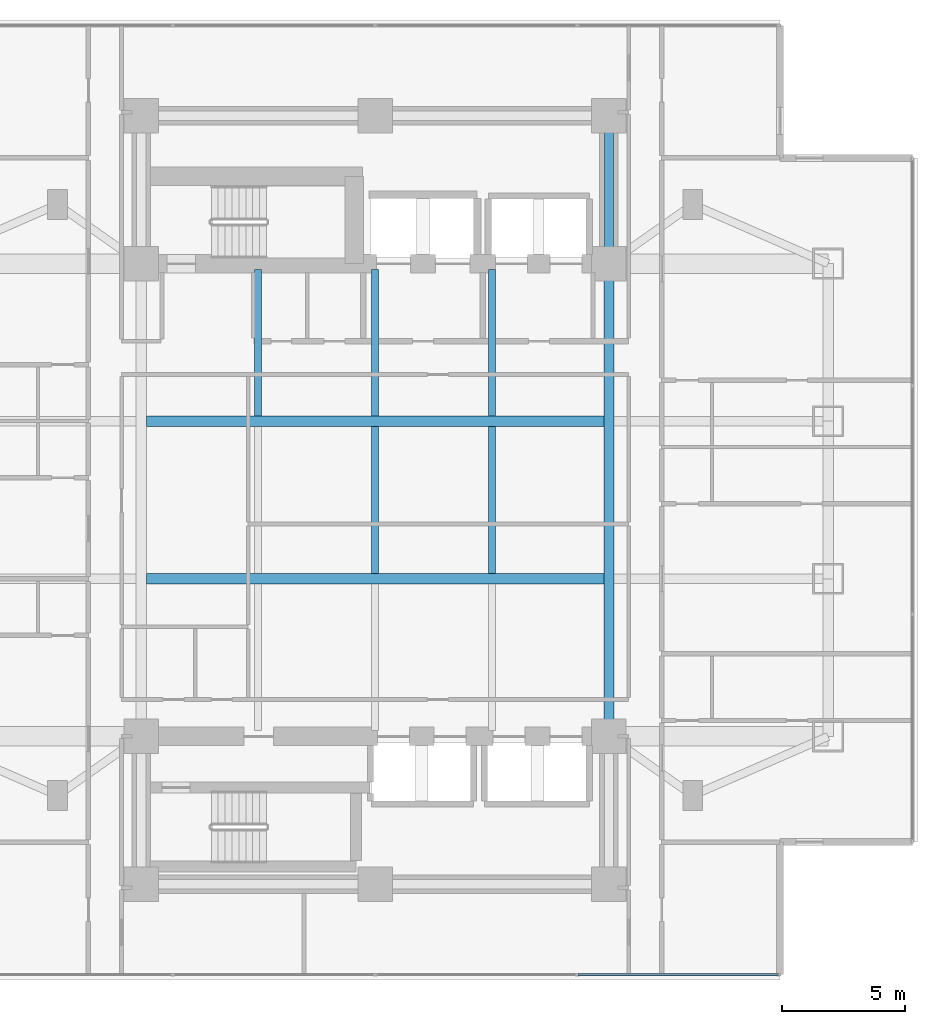
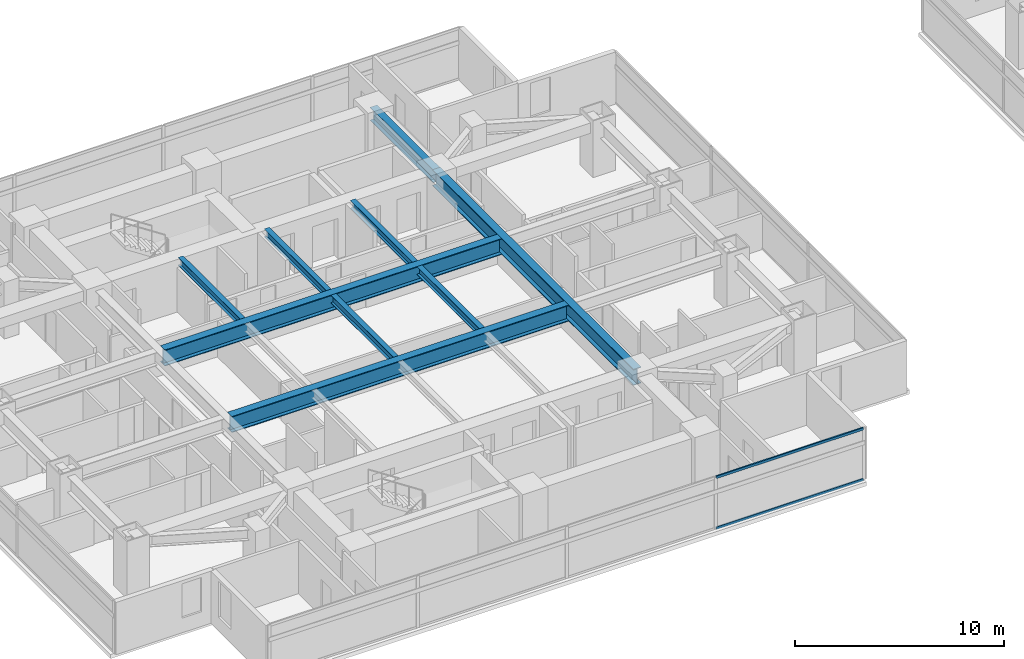
# One storey, part 4 of 25: 9 beams, 2 members, 1 element without a shape of its own.
"""IFC4 building model written with IfcOpenShell, lengths in metres."""

from ifc_helpers import new_model, si_unit, direction, frame, origin, origin_2d, place, context, subcontext, project, spatial, rectangle, i_section, extrude, material, material_profile, profile_set, type_object, element, aggregate, save


model = new_model("IFC4")

# Units and contexts
model_context = context("Model", 3, precision=1e-05, world=origin(), true_north=direction((0.0, 1.0)))
body_context = subcontext(model_context, "Body", "Model", "MODEL_VIEW")
ifc_project = project(units=[si_unit("LENGTHUNIT", "METRE"), si_unit("AREAUNIT", "SQUARE_METRE"), si_unit("VOLUMEUNIT", "CUBIC_METRE"), si_unit("PLANEANGLEUNIT", "RADIAN"), si_unit("MASSUNIT", "GRAM", prefix="KILO")], contexts=[model_context])

# Site, building, storey
site_placement = place(None, origin())
site = spatial("IfcSite", under=ifc_project, at=site_placement, CompositionType="ELEMENT")
building_placement = place(site_placement, origin())
building = spatial("IfcBuilding", under=site, at=building_placement, Name="Mirazonda Arch Towers", CompositionType="ELEMENT")
storey_placement = place(building_placement, frame((0.0, 0.0, 32.300048828125)))
storey = spatial("IfcBuildingStorey", under=building, at=storey_placement, Name="L08", CompositionType="ELEMENT", Elevation=32.300048828125)

# Beams
ifc_material_1 = material(Name="Steel ASTM A992 Grade 50", Category="steel")
ifc_material_profile_1 = material_profile(ifc_material_1, i_section(OverallWidth=0.280029296875, OverallDepth=0.462890625, WebThickness=0.0107421875, FlangeThickness=0.017333984375, at=origin_2d()), Name="W18X76")
ifc_profile_set_1 = profile_set([ifc_material_profile_1], Name="Steel ASTM A992 Grade 50")
beam_type_1 = type_object("IfcBeamType", Name="BM-INT-W18X76", PredefinedType="JOIST", material=ifc_profile_set_1)
for number, where, z_axis, x_axis, name in (
    (1, (15.75, 31.407470703125, 2.828369140625), (0.0, 1.0, 0.0), (-1.0, 0.0, 0.0), "L08 Floor Beam BM-T1-L08-J-157-31"),
    (2, (20.5, 31.407470703125, 2.828369140625), (0.0, 1.0, 0.0), (-1.0, 0.0, 0.0), "L08 Floor Beam BM-T1-L08-J-205-31"),
):
    element("IfcBeam", number, at=place(storey_placement, frame(where, z_axis=z_axis, x_axis=x_axis)), inside=storey, type_object=beam_type_1, Name=name, PredefinedType="JOIST", context=body_context, shape_type="SweptSolid", body=[
        extrude(i_section(OverallWidth=0.280029296875, OverallDepth=0.462890625, WebThickness=0.0107421875, FlangeThickness=0.017333984375, at=origin_2d()), origin(), (0.0, 0.0, 1.0), 5.95263671875),
    ])
beam_1_placement = place(storey_placement, frame((20.5, 25.007568359375, 2.828369140625), z_axis=(0.0, 1.0, 0.0), x_axis=(-1.0, 0.0, 0.0)))
element("IfcBeam", 3, at=beam_1_placement, inside=storey, type_object=beam_type_1, Name="L08 Floor Beam BM-T1-L08-J-205-24", PredefinedType="JOIST", context=body_context, shape_type="SweptSolid", body=[
    extrude(i_section(OverallWidth=0.280029296875, OverallDepth=0.462890625, WebThickness=0.0107421875, FlangeThickness=0.017333984375, at=origin_2d()), origin(), (0.0, 0.0, 1.0), 5.98486328125),
])
beam_2_placement = place(storey_placement, frame((25.25, 31.407470703125, 2.828369140625), z_axis=(0.0, 1.0, 0.0), x_axis=(-1.0, 0.0, 0.0)))
element("IfcBeam", 4, at=beam_2_placement, inside=storey, type_object=beam_type_1, Name="L08 Floor Beam BM-T1-L08-J-252-31", PredefinedType="JOIST", context=body_context, shape_type="SweptSolid", body=[
    extrude(i_section(OverallWidth=0.280029296875, OverallDepth=0.462890625, WebThickness=0.0107421875, FlangeThickness=0.017333984375, at=origin_2d()), origin(), (0.0, 0.0, 1.0), 5.95263671875),
])
beam_3_placement = place(storey_placement, frame((25.25, 25.007568359375, 2.828369140625), z_axis=(0.0, 1.0, 0.0), x_axis=(-1.0, 0.0, 0.0)))
element("IfcBeam", 5, at=beam_3_placement, inside=storey, type_object=beam_type_1, Name="L08 Floor Beam BM-T1-L08-J-252-24", PredefinedType="JOIST", context=body_context, shape_type="SweptSolid", body=[
    extrude(i_section(OverallWidth=0.280029296875, OverallDepth=0.462890625, WebThickness=0.0107421875, FlangeThickness=0.017333984375, at=origin_2d()), origin(), (0.0, 0.0, 1.0), 5.98486328125),
])
ifc_material_profile_2 = material_profile(ifc_material_1, i_section(OverallWidth=0.381103515625, OverallDepth=0.77294921875, WebThickness=0.0166015625, FlangeThickness=0.027099609375, at=origin_2d()), Name="W30X173")
ifc_profile_set_2 = profile_set([ifc_material_profile_2], Name="Steel ASTM A992 Grade 50")
beam_type_2 = type_object("IfcBeamType", Name="BM-INT-W30X173", PredefinedType="USERDEFINED", material=ifc_profile_set_2)
beam_4_placement = place(storey_placement, frame((30.0, 37.60009765625, 2.67333984375), z_axis=(0.0, 1.0, 0.0), x_axis=(-1.0, 0.0, 0.0)))
element("IfcBeam", 6, at=beam_4_placement, inside=storey, type_object=beam_type_2, Name="L08 Floor Beam BM-T1-L08-CNE", ObjectType="GIRDER", PredefinedType="USERDEFINED", context=body_context, shape_type="SweptSolid", body=[
    extrude(i_section(OverallWidth=0.381103515625, OverallDepth=0.77294921875, WebThickness=0.0166015625, FlangeThickness=0.027099609375, at=origin_2d()), origin(), (0.0, 0.0, 1.0), 6.0),
])
ifc_material_profile_3 = material_profile(ifc_material_1, i_section(OverallWidth=0.423095703125, OverallDepth=0.947998046875, WebThickness=0.02392578125, FlangeThickness=0.042724609375, at=origin_2d()), Name="W36X302")
ifc_profile_set_3 = profile_set([ifc_material_profile_3], Name="Steel ASTM A992 Grade 50")
beam_type_3 = type_object("IfcBeamType", Name="BM-INT-W36X302", PredefinedType="USERDEFINED", material=ifc_profile_set_3)
for number, where, z_axis, x_axis, name in (
    (7, (11.21142578125, 24.800048828125, 2.5859375), (1.0, 0.0, 0.0), (0.0, 1.0, 0.0), "L08 Floor Beam BM-T1-L08-GC2"),
    (8, (11.21142578125, 31.199951171875, 2.5859375), (1.0, 0.0, 0.0), (0.0, 1.0, 0.0), "L08 Floor Beam BM-T1-L08-GC3"),
):
    element("IfcBeam", number, at=place(storey_placement, frame(where, z_axis=z_axis, x_axis=x_axis)), inside=storey, type_object=beam_type_3, Name=name, ObjectType="GIRDER", PredefinedType="USERDEFINED", context=body_context, shape_type="SweptSolid", body=[
        extrude(i_section(OverallWidth=0.423095703125, OverallDepth=0.947998046875, WebThickness=0.02392578125, FlangeThickness=0.042724609375, at=origin_2d()), origin(), (0.0, 0.0, 1.0), 18.5771484375),
    ])
beam_5_placement = place(storey_placement, frame((30.0, 18.39990234375, 2.5859375), z_axis=(0.0, 1.0, 0.0), x_axis=(-1.0, 0.0, 0.0)))
element("IfcBeam", 9, at=beam_5_placement, inside=storey, type_object=beam_type_3, Name="L08 Floor Beam BM-T1-L08-NS-CE-FULL", ObjectType="GIRDER", PredefinedType="USERDEFINED", context=body_context, shape_type="SweptSolid", body=[
    extrude(i_section(OverallWidth=0.423095703125, OverallDepth=0.947998046875, WebThickness=0.02392578125, FlangeThickness=0.042724609375, at=origin_2d()), origin(), (0.0, 0.0, 1.0), 19.2001953125),
])

# Curtain wall, members
ifc_material_2 = material(Name="Anodised Aluminium and Low-E Glass", Category="aluminium")
curtain_wall_type = type_object("IfcCurtainWallType", Name="CW-HTL-UNIT", PredefinedType="NOTDEFINED", material=ifc_material_2)
curtain_wall_placement = place(storey_placement, origin())
curtain_wall = element("IfcCurtainWall", 10, at=curtain_wall_placement, inside=storey, type_object=curtain_wall_type, Name="L08 T1 S Facade CW-L08-T1-S", PredefinedType="NOTDEFINED")
ifc_material_3 = material(Name="Anodised Aluminium Alloy", Category="aluminium")
ifc_material_profile_4 = material_profile(ifc_material_3, rectangle(XDim=0.074951171875, YDim=0.14501953125, at=origin_2d()), Name="ALU-TRAN-75x145")
ifc_profile_set_4 = profile_set([ifc_material_profile_4], Name="Anodised Aluminium Alloy")
member_type = type_object("IfcMemberType", Name="TRAN-CW-HTL-UNIT", PredefinedType="USERDEFINED", material=ifc_profile_set_4)
member_1_placement = place(storey_placement, frame((36.864990234375, 8.72607421875, 0.037353515625), z_axis=(-1.0, 0.0, 0.0), x_axis=(0.0, -1.0, 0.0)))
member_1 = element("IfcMember", 11, at=member_1_placement, type_object=member_type, Name="CW-112 transom 1.1", ObjectType="TRANSOM", PredefinedType="USERDEFINED", context=body_context, shape_type="SweptSolid", body=[
    extrude(rectangle(XDim=0.074951171875, YDim=0.14501953125, at=origin_2d()), origin(), (0.0, 0.0, 1.0), 8.107421875),
])
member_2_placement = place(storey_placement, frame((36.864990234375, 8.72607421875, 3.00244140625), z_axis=(-1.0, 0.0, 0.0), x_axis=(0.0, -1.0, 0.0)))
member_2 = element("IfcMember", 12, at=member_2_placement, type_object=member_type, Name="CW-112 transom 1.2", ObjectType="TRANSOM", PredefinedType="USERDEFINED", context=body_context, shape_type="SweptSolid", body=[
    extrude(rectangle(XDim=0.074951171875, YDim=0.14501953125, at=origin_2d()), origin(), (0.0, 0.0, 1.0), 8.107421875),
])
aggregate(curtain_wall, [member_1, member_2])

save(model, "model.ifc")
